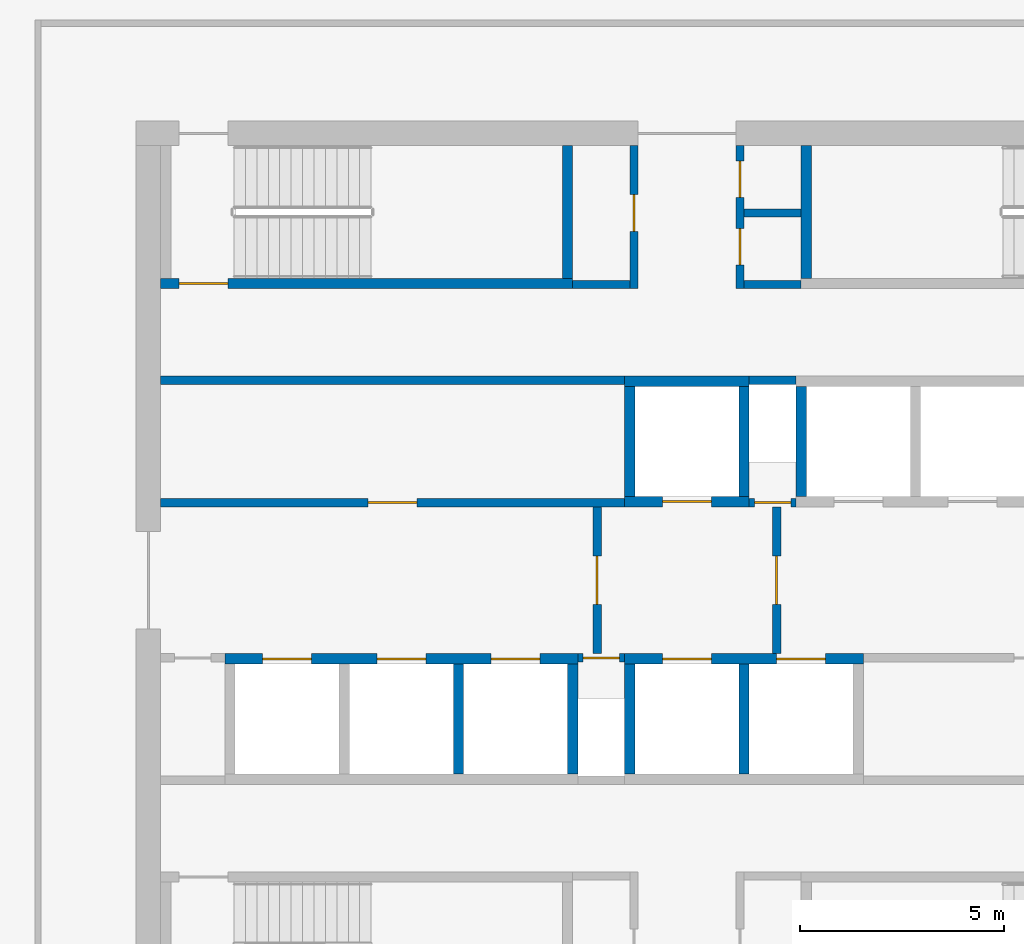
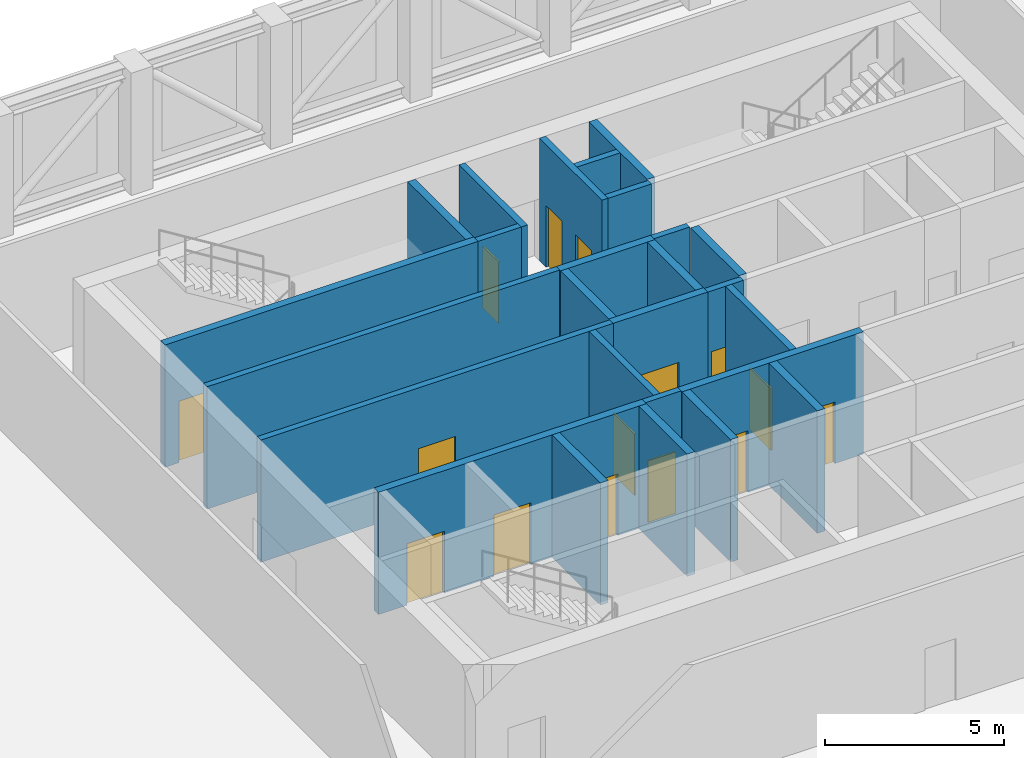
# One storey, part 4 of 14: 26 walls, 15 doors, 15 openings.
"""IFC4 building model written with IfcOpenShell, lengths in metres."""

from ifc_helpers import new_model, si_unit, direction, frame, frame_2d, origin, place, context, subcontext, project, spatial, polyline, rectangle, outline, extrude, material, layer, layer_set, type_object, element, fill, save


model = new_model("IFC4")

# Units and contexts
model_context = context("Model", 3, precision=1e-05, world=origin(), true_north=direction((0.0, 1.0)))
body_context = subcontext(model_context, "Body", "Model", "MODEL_VIEW")
ifc_project = project(units=[si_unit("LENGTHUNIT", "METRE"), si_unit("AREAUNIT", "SQUARE_METRE"), si_unit("VOLUMEUNIT", "CUBIC_METRE"), si_unit("PLANEANGLEUNIT", "RADIAN"), si_unit("MASSUNIT", "GRAM", prefix="KILO")], contexts=[model_context])

# Site, building, storey
site_placement = place(None, origin())
site = spatial("IfcSite", under=ifc_project, at=site_placement, CompositionType="ELEMENT")
building_placement = place(site_placement, origin())
building = spatial("IfcBuilding", under=site, at=building_placement, Name="Dhurran Vertical Campus", CompositionType="ELEMENT")
storey_placement = place(building_placement, frame((0.0, 0.0, 282.0)))
storey = spatial("IfcBuildingStorey", under=building, at=storey_placement, Name="L70 Plant", CompositionType="ELEMENT", Elevation=282.0)

# Wall, opening, door
ifc_material_1 = material(Name="Fire-rated masonry blockwork", Category="masonry")
ifc_layer_1 = layer(ifc_material_1, 0.199951171875)
ifc_layer_set_1 = layer_set([ifc_layer_1], Name="Fire-rated masonry blockwork")
wall_type_1 = type_object("IfcWallType", Name="co-FIRE-PARTITION-200", PredefinedType="PARTITIONING", material=ifc_layer_set_1)
wall_1_placement = place(storey_placement, frame((-2.199951171875, -1.800048828125, 0.0), z_axis=(0.0, 0.0, 1.0), x_axis=(0.0, 1.0, 0.0)))
wall_1 = element("IfcWall", 1, at=wall_1_placement, inside=storey, type_object=wall_type_1, Name="Firefighting lobby wall W L70", PredefinedType="PARTITIONING", context=body_context, shape_type="SweptSolid", body=[
    extrude(rectangle(XDim=3.60009765625, YDim=0.199951171875, at=frame_2d((1.800048828125, 0.0))), origin(), (0.0, 0.0, 1.0), 4.175048828125),
])
opening_1_placement = place(wall_1_placement, frame((1.199951171875, 0.0, 0.0)))
opening_1 = element("IfcOpeningElement", 2, at=opening_1_placement, cuts=wall_1, Name="Opening FL1", PredefinedType="OPENING", context=body_context, shape_type="SweptSolid", body=[
    extrude(rectangle(XDim=1.199951171875, YDim=2.10009765625, at=frame_2d((0.60009765625, 1.050048828125))), frame((0.0, 0.10986328125, 0.0), z_axis=(0.0, -1.0, 0.0), x_axis=(1.0, 0.0, 0.0)), (0.0, 0.0, 1.0), 0.219970703125),
])
ifc_material_2 = material(Name="Fire-rated steel door set", Category="steel")
door_type_1 = type_object("IfcDoorType", Name="co-D-FFLOBBY 1200x2100", OperationType="SINGLE_SWING_LEFT", PredefinedType="DOOR", material=ifc_material_2)
door_1_placement = place(opening_1_placement, origin())
door_1 = element("IfcDoor", 3, at=door_1_placement, inside=storey, type_object=door_type_1, Name="Firefighting lobby door W L70", OperationType="SINGLE_SWING_LEFT", OverallHeight=2.10009765625, OverallWidth=1.199951171875, PredefinedType="DOOR", context=body_context, shape_type="SweptSolid", body=[
    extrude(rectangle(XDim=1.199951171875, YDim=2.10009765625, at=frame_2d((0.60009765625, 1.050048828125))), frame((0.0, 0.02490234375, 0.0), z_axis=(0.0, -1.0, 0.0), x_axis=(1.0, 0.0, 0.0)), (0.0, 0.0, 1.0), 0.050048828125),
])
fill(opening_1, door_1)

wall_2_placement = place(storey_placement, frame((2.199951171875, -1.800048828125, 0.0), z_axis=(0.0, 0.0, 1.0), x_axis=(0.0, 1.0, 0.0)))
wall_2 = element("IfcWall", 4, at=wall_2_placement, inside=storey, type_object=wall_type_1, Name="Firefighting lobby wall E L70", PredefinedType="PARTITIONING", context=body_context, shape_type="SweptSolid", body=[
    extrude(rectangle(XDim=3.60009765625, YDim=0.199951171875, at=frame_2d((1.800048828125, 0.0))), origin(), (0.0, 0.0, 1.0), 4.175048828125),
])
opening_2_placement = place(wall_2_placement, frame((1.199951171875, 0.0, 0.0)))
opening_2 = element("IfcOpeningElement", 5, at=opening_2_placement, cuts=wall_2, Name="Opening FL2", PredefinedType="OPENING", context=body_context, shape_type="SweptSolid", body=[
    extrude(rectangle(XDim=1.199951171875, YDim=2.10009765625, at=frame_2d((0.60009765625, 1.050048828125))), frame((0.0, 0.10986328125, 0.0), z_axis=(0.0, -1.0, 0.0), x_axis=(1.0, 0.0, 0.0)), (0.0, 0.0, 1.0), 0.219970703125),
])
door_2_placement = place(opening_2_placement, origin())
door_2 = element("IfcDoor", 6, at=door_2_placement, inside=storey, type_object=door_type_1, Name="Firefighting lobby door E L70", OperationType="SINGLE_SWING_LEFT", OverallHeight=2.10009765625, OverallWidth=1.199951171875, PredefinedType="DOOR", context=body_context, shape_type="SweptSolid", body=[
    extrude(rectangle(XDim=1.199951171875, YDim=2.10009765625, at=frame_2d((0.60009765625, 1.050048828125))), frame((0.0, 0.02490234375, 0.0), z_axis=(0.0, -1.0, 0.0), x_axis=(1.0, 0.0, 0.0)), (0.0, 0.0, 1.0), 0.050048828125),
])
fill(opening_2, door_2)

# Walls
for number, where, z_axis, x_axis, name in (
    (7, (-2.800048828125, 7.25, 0.0), (0.0, 0.0, 1.0), (1.0, 0.0, 0.0), "Core partition sl-NW-S L70"),
    (8, (1.39990234375, 7.25, 0.0), (0.0, 0.0, 1.0), (1.0, 0.0, 0.0), "Core partition sl-NE-S L70"),
    (9, (1.39990234375, 9.0, 0.0), (0.0, 0.0, 1.0), (1.0, 0.0, 0.0), "Core partition sl-NE-cut0 L70"),
):
    element("IfcWall", number, at=place(storey_placement, frame(where, z_axis=z_axis, x_axis=x_axis)), inside=storey, type_object=wall_type_1, Name=name, PredefinedType="PARTITIONING", context=body_context, shape_type="SweptSolid", body=[
        extrude(rectangle(XDim=1.400146484375, YDim=0.199951171875, at=frame_2d((0.7001953125, 0.0))), origin(), (0.0, 0.0, 1.0), 4.175048828125),
    ])

# Wall, opening, door
wall_3_placement = place(storey_placement, frame((-1.300048828125, 7.14990234375, 0.0), z_axis=(0.0, 0.0, 1.0), x_axis=(0.0, 1.0, 0.0)))
wall_3 = element("IfcWall", 10, at=wall_3_placement, inside=storey, type_object=wall_type_1, Name="Core partition vest-NW L70", PredefinedType="PARTITIONING", context=body_context, shape_type="SweptSolid", body=[
    extrude(rectangle(XDim=3.5, YDim=0.199951171875, at=frame_2d((1.75, 0.0))), origin(), (0.0, 0.0, 1.0), 4.175048828125),
])
opening_3_placement = place(wall_3_placement, frame((1.39990234375, 0.0, 0.0)))
opening_3 = element("IfcOpeningElement", 11, at=opening_3_placement, cuts=wall_3, Name="Opening BR70-C3", PredefinedType="OPENING", context=body_context, shape_type="SweptSolid", body=[
    extrude(rectangle(XDim=0.89990234375, YDim=2.10009765625, at=frame_2d((0.449951171875, 1.050048828125))), frame((0.0, 0.10986328125, 0.0), z_axis=(0.0, -1.0, 0.0), x_axis=(1.0, 0.0, 0.0)), (0.0, 0.0, 1.0), 0.219970703125),
])
ifc_material_3 = material(Name="Fire-rated timber door set", Category="wood")
door_type_2 = type_object("IfcDoorType", Name="co-D-ROOM 900x2100", OperationType="SINGLE_SWING_LEFT", PredefinedType="DOOR", material=ifc_material_3)
door_3_placement = place(opening_3_placement, origin())
door_3 = element("IfcDoor", 12, at=door_3_placement, inside=storey, type_object=door_type_2, Name="Sprinkler valve room door L70", OperationType="SINGLE_SWING_LEFT", OverallHeight=2.10009765625, OverallWidth=0.89990234375, PredefinedType="DOOR", context=body_context, shape_type="SweptSolid", body=[
    extrude(rectangle(XDim=0.89990234375, YDim=2.10009765625, at=frame_2d((0.449951171875, 1.050048828125))), frame((0.0, 0.02490234375, 0.0), z_axis=(0.0, -1.0, 0.0), x_axis=(1.0, 0.0, 0.0)), (0.0, 0.0, 1.0), 0.050048828125),
])
fill(opening_3, door_3)

# Wall, openings, doors
wall_4_placement = place(storey_placement, frame((1.300048828125, 7.14990234375, 0.0), z_axis=(0.0, 0.0, 1.0), x_axis=(0.0, 1.0, 0.0)))
wall_4 = element("IfcWall", 13, at=wall_4_placement, inside=storey, type_object=wall_type_1, Name="Core partition vest-NE L70", PredefinedType="PARTITIONING", context=body_context, shape_type="SweptSolid", body=[
    extrude(rectangle(XDim=3.5, YDim=0.199951171875, at=frame_2d((1.75, 0.0))), origin(), (0.0, 0.0, 1.0), 4.175048828125),
])
opening_4_placement = place(wall_4_placement, frame((0.574951171875, 0.0, 0.0)))
opening_4 = element("IfcOpeningElement", 14, at=opening_4_placement, cuts=wall_4, Name="Opening BR70-C4", PredefinedType="OPENING", context=body_context, shape_type="SweptSolid", body=[
    extrude(rectangle(XDim=0.89990234375, YDim=2.10009765625, at=frame_2d((0.449951171875, 1.050048828125))), frame((0.0, 0.10986328125, 0.0), z_axis=(0.0, -1.0, 0.0), x_axis=(1.0, 0.0, 0.0)), (0.0, 0.0, 1.0), 0.219970703125),
])
opening_5_placement = place(wall_4_placement, frame((2.22509765625, 0.0, 0.0)))
opening_5 = element("IfcOpeningElement", 15, at=opening_5_placement, cuts=wall_4, Name="Opening BR70-C5", PredefinedType="OPENING", context=body_context, shape_type="SweptSolid", body=[
    extrude(rectangle(XDim=0.89990234375, YDim=2.10009765625, at=frame_2d((0.449951171875, 1.050048828125))), frame((0.0, 0.10986328125, 0.0), z_axis=(0.0, -1.0, 0.0), x_axis=(1.0, 0.0, 0.0)), (0.0, 0.0, 1.0), 0.219970703125),
])
door_4_placement = place(opening_4_placement, origin())
door_4 = element("IfcDoor", 16, at=door_4_placement, inside=storey, type_object=door_type_2, Name="Pump room door L70", OperationType="SINGLE_SWING_LEFT", OverallHeight=2.10009765625, OverallWidth=0.89990234375, PredefinedType="DOOR", context=body_context, shape_type="SweptSolid", body=[
    extrude(rectangle(XDim=0.89990234375, YDim=2.10009765625, at=frame_2d((0.449951171875, 1.050048828125))), frame((0.0, 0.02490234375, 0.0), z_axis=(0.0, -1.0, 0.0), x_axis=(1.0, 0.0, 0.0)), (0.0, 0.0, 1.0), 0.050048828125),
])
fill(opening_4, door_4)
door_5_placement = place(opening_5_placement, origin())
door_5 = element("IfcDoor", 17, at=door_5_placement, inside=storey, type_object=door_type_2, Name="Air handling plant room door L70", OperationType="SINGLE_SWING_LEFT", OverallHeight=2.10009765625, OverallWidth=0.89990234375, PredefinedType="DOOR", context=body_context, shape_type="SweptSolid", body=[
    extrude(rectangle(XDim=0.89990234375, YDim=2.10009765625, at=frame_2d((0.449951171875, 1.050048828125))), frame((0.0, 0.02490234375, 0.0), z_axis=(0.0, -1.0, 0.0), x_axis=(1.0, 0.0, 0.0)), (0.0, 0.0, 1.0), 0.050048828125),
])
fill(opening_5, door_5)

# Wall, opening, door
wall_5_placement = place(storey_placement, frame((-12.89990234375, 1.89990234375, 0.0), z_axis=(0.0, 0.0, 1.0), x_axis=(1.0, 0.0, 0.0)))
wall_5 = element("IfcWall", 18, at=wall_5_placement, inside=storey, type_object=wall_type_1, Name="Core partition fr-N0-f L70", PredefinedType="PARTITIONING", context=body_context, shape_type="SweptSolid", body=[
    extrude(rectangle(XDim=11.375, YDim=0.199951171875, at=frame_2d((5.6875, 0.0))), origin(), (0.0, 0.0, 1.0), 4.175048828125),
])
opening_6_placement = place(wall_5_placement, frame((5.08740234375, 0.0, 0.0)))
opening_6 = element("IfcOpeningElement", 19, at=opening_6_placement, cuts=wall_5, Name="Opening BR70-C6", PredefinedType="OPENING", context=body_context, shape_type="SweptSolid", body=[
    extrude(rectangle(XDim=1.199951171875, YDim=2.10009765625, at=frame_2d((0.60009765625, 1.050048828125))), frame((0.0, 0.10986328125, 0.0), z_axis=(0.0, -1.0, 0.0), x_axis=(1.0, 0.0, 0.0)), (0.0, 0.0, 1.0), 0.219970703125),
])
ifc_material_4 = material(Name="Fire-rated steel door set", Category="steel")
door_type_3 = type_object("IfcDoorType", Name="co-D-ROOM-PASSAGE 1200x2100", OperationType="SINGLE_SWING_RIGHT", PredefinedType="DOOR", material=ifc_material_4)
door_6_placement = place(opening_6_placement, origin())
door_6 = element("IfcDoor", 20, at=door_6_placement, inside=storey, type_object=door_type_3, Name="Refuge area door L70", OperationType="SINGLE_SWING_RIGHT", OverallHeight=2.10009765625, OverallWidth=1.199951171875, PredefinedType="DOOR", context=body_context, shape_type="SweptSolid", body=[
    extrude(rectangle(XDim=1.199951171875, YDim=2.10009765625, at=frame_2d((0.60009765625, 1.050048828125))), frame((0.0, 0.02490234375, 0.0), z_axis=(0.0, -1.0, 0.0), x_axis=(1.0, 0.0, 0.0)), (0.0, 0.0, 1.0), 0.050048828125),
])
fill(opening_6, door_6)

# Wall
wall_6_placement = place(storey_placement, frame((-12.89990234375, 4.89990234375, 0.0), z_axis=(0.0, 0.0, 1.0), x_axis=(1.0, 0.0, 0.0)))
element("IfcWall", 21, at=wall_6_placement, inside=storey, type_object=wall_type_1, Name="Core partition fr-N0-b L70", PredefinedType="PARTITIONING", context=body_context, shape_type="SweptSolid", body=[
    extrude(rectangle(XDim=11.375, YDim=0.199951171875, at=frame_2d((5.6875, 0.0))), origin(), (0.0, 0.0, 1.0), 4.175048828125),
])

# Wall, opening, door
wall_7_placement = place(storey_placement, frame((1.52490234375, 1.89990234375, 0.0), z_axis=(0.0, 0.0, 1.0), x_axis=(1.0, 0.0, 0.0)))
wall_7 = element("IfcWall", 22, at=wall_7_placement, inside=storey, type_object=wall_type_1, Name="Core partition fr-N1-f L70", PredefinedType="PARTITIONING", context=body_context, shape_type="SweptSolid", body=[
    extrude(rectangle(XDim=1.150146484375, YDim=0.199951171875, at=frame_2d((0.5751953125, 0.0))), origin(), (0.0, 0.0, 1.0), 4.175048828125),
])
opening_7_placement = place(wall_7_placement, frame((0.125, 0.0, 0.0)))
opening_7 = element("IfcOpeningElement", 23, at=opening_7_placement, cuts=wall_7, Name="Opening BR70-C7", PredefinedType="OPENING", context=body_context, shape_type="SweptSolid", body=[
    extrude(rectangle(XDim=0.89990234375, YDim=2.10009765625, at=frame_2d((0.449951171875, 1.050048828125))), frame((0.0, 0.10986328125, 0.0), z_axis=(0.0, -1.0, 0.0), x_axis=(1.0, 0.0, 0.0)), (0.0, 0.0, 1.0), 0.219970703125),
])
door_7_placement = place(opening_7_placement, origin())
door_7 = element("IfcDoor", 24, at=door_7_placement, inside=storey, type_object=door_type_2, Name="Water riser door L70", OperationType="SINGLE_SWING_LEFT", OverallHeight=2.10009765625, OverallWidth=0.89990234375, PredefinedType="DOOR", context=body_context, shape_type="SweptSolid", body=[
    extrude(rectangle(XDim=0.89990234375, YDim=2.10009765625, at=frame_2d((0.449951171875, 1.050048828125))), frame((0.0, 0.02490234375, 0.0), z_axis=(0.0, -1.0, 0.0), x_axis=(1.0, 0.0, 0.0)), (0.0, 0.0, 1.0), 0.050048828125),
])
fill(opening_7, door_7)

# Wall
wall_8_placement = place(storey_placement, frame((1.52490234375, 4.89990234375, 0.0), z_axis=(0.0, 0.0, 1.0), x_axis=(1.0, 0.0, 0.0)))
element("IfcWall", 25, at=wall_8_placement, inside=storey, type_object=wall_type_1, Name="Core partition fr-N1-b L70", PredefinedType="PARTITIONING", context=body_context, shape_type="SweptSolid", body=[
    extrude(rectangle(XDim=1.150146484375, YDim=0.199951171875, at=frame_2d((0.5751953125, 0.0))), origin(), (0.0, 0.0, 1.0), 4.175048828125),
])

# Wall, opening, door
wall_9_placement = place(storey_placement, frame((-2.675048828125, -1.89990234375, 0.0), z_axis=(0.0, 0.0, 1.0), x_axis=(1.0, 0.0, 0.0)))
wall_9 = element("IfcWall", 26, at=wall_9_placement, inside=storey, type_object=wall_type_1, Name="Core partition fr-S1-f L70", PredefinedType="PARTITIONING", context=body_context, shape_type="SweptSolid", body=[
    extrude(rectangle(XDim=1.150146484375, YDim=0.199951171875, at=frame_2d((0.5751953125, 0.0))), origin(), (0.0, 0.0, 1.0), 4.175048828125),
])
opening_8_placement = place(wall_9_placement, frame((0.125, 0.0, 0.0)))
opening_8 = element("IfcOpeningElement", 27, at=opening_8_placement, cuts=wall_9, Name="Opening BR70-C10", PredefinedType="OPENING", context=body_context, shape_type="SweptSolid", body=[
    extrude(rectangle(XDim=0.89990234375, YDim=2.10009765625, at=frame_2d((0.449951171875, 1.050048828125))), frame((0.0, 0.10986328125, 0.0), z_axis=(0.0, -1.0, 0.0), x_axis=(1.0, 0.0, 0.0)), (0.0, 0.0, 1.0), 0.219970703125),
])
door_8_placement = place(opening_8_placement, origin())
door_8 = element("IfcDoor", 28, at=door_8_placement, inside=storey, type_object=door_type_2, Name="Communications riser door L70", OperationType="SINGLE_SWING_LEFT", OverallHeight=2.10009765625, OverallWidth=0.89990234375, PredefinedType="DOOR", context=body_context, shape_type="SweptSolid", body=[
    extrude(rectangle(XDim=0.89990234375, YDim=2.10009765625, at=frame_2d((0.449951171875, 1.050048828125))), frame((0.0, 0.02490234375, 0.0), z_axis=(0.0, -1.0, 0.0), x_axis=(1.0, 0.0, 0.0)), (0.0, 0.0, 1.0), 0.050048828125),
])
fill(opening_8, door_8)

ifc_material_5 = material(Name="Concrete C50/60", Category="concrete")
ifc_layer_2 = layer(ifc_material_5, 0.25)
ifc_layer_set_2 = layer_set([ifc_layer_2], Name="Concrete C50/60")
wall_type_2 = type_object("IfcWallType", Name="co-SHAFT-FRONT-250", PredefinedType="SHEAR", material=ifc_layer_set_2)
wall_10_placement = place(storey_placement, frame((-1.52490234375, 1.925048828125, 0.0), z_axis=(0.0, 0.0, 1.0), x_axis=(1.0, 0.0, 0.0)))
wall_10 = element("IfcWall", 29, at=wall_10_placement, inside=storey, type_object=wall_type_2, Name="Lift landing wall N L70", PredefinedType="SHEAR", context=body_context, shape_type="SweptSolid", body=[
    extrude(rectangle(XDim=3.0498046875, YDim=0.25, at=frame_2d((1.52490234375, 0.0))), origin(), (0.0, 0.0, 1.0), 4.175048828125),
])
opening_9_placement = place(wall_10_placement, frame((0.925048828125, 0.0, 0.0)))
opening_9 = element("IfcOpeningElement", 30, at=opening_9_placement, cuts=wall_10, Name="Opening LD", PredefinedType="OPENING", context=body_context, shape_type="SweptSolid", body=[
    extrude(rectangle(XDim=1.199951171875, YDim=2.10009765625, at=frame_2d((0.60009765625, 1.050048828125))), frame((0.0, 0.135009765625, 0.0), z_axis=(0.0, -1.0, 0.0), x_axis=(1.0, 0.0, 0.0)), (0.0, 0.0, 1.0), 0.27001953125),
])
ifc_material_6 = material(Name="Stainless steel landing door", Category="steel")
door_type_4 = type_object("IfcDoorType", Name="co-D-LANDING 1200x2100", OperationType="DOUBLE_DOOR_SLIDING", PredefinedType="DOOR", material=ifc_material_6)
door_9_placement = place(opening_9_placement, origin())
door_9 = element("IfcDoor", 31, at=door_9_placement, inside=storey, type_object=door_type_4, Name="Landing door FF1 L70", OperationType="DOUBLE_DOOR_SLIDING", OverallHeight=2.10009765625, OverallWidth=1.199951171875, PredefinedType="DOOR", context=body_context, shape_type="SweptSolid", body=[
    extrude(rectangle(XDim=1.199951171875, YDim=2.10009765625, at=frame_2d((0.60009765625, 1.050048828125))), frame((0.0, 0.02490234375, 0.0), z_axis=(0.0, -1.0, 0.0), x_axis=(1.0, 0.0, 0.0)), (0.0, 0.0, 1.0), 0.050048828125),
])
fill(opening_9, door_9)

# Wall, openings, doors
wall_11_placement = place(storey_placement, frame((-11.324951171875, -1.925048828125, 0.0), z_axis=(0.0, 0.0, 1.0), x_axis=(1.0, 0.0, 0.0)))
wall_11 = element("IfcWall", 32, at=wall_11_placement, inside=storey, type_object=wall_type_2, Name="Lift landing wall S L70", PredefinedType="SHEAR", context=body_context, shape_type="SweptSolid", body=[
    extrude(rectangle(XDim=8.64990234375, YDim=0.25, at=frame_2d((4.324951171875, 0.0))), origin(), (0.0, 0.0, 1.0), 4.175048828125),
])
opening_10_placement = place(wall_11_placement, frame((0.925048828125, 0.0, 0.0)))
opening_10 = element("IfcOpeningElement", 33, at=opening_10_placement, cuts=wall_11, Name="Opening LD", PredefinedType="OPENING", context=body_context, shape_type="SweptSolid", body=[
    extrude(rectangle(XDim=1.199951171875, YDim=2.10009765625, at=frame_2d((0.60009765625, 1.050048828125))), frame((0.0, 0.135009765625, 0.0), z_axis=(0.0, -1.0, 0.0), x_axis=(1.0, 0.0, 0.0)), (0.0, 0.0, 1.0), 0.27001953125),
])
opening_11_placement = place(wall_11_placement, frame((3.72509765625, 0.0, 0.0)))
opening_11 = element("IfcOpeningElement", 34, at=opening_11_placement, cuts=wall_11, Name="Opening LD", PredefinedType="OPENING", context=body_context, shape_type="SweptSolid", body=[
    extrude(rectangle(XDim=1.199951171875, YDim=2.10009765625, at=frame_2d((0.60009765625, 1.050048828125))), frame((0.0, 0.135009765625, 0.0), z_axis=(0.0, -1.0, 0.0), x_axis=(1.0, 0.0, 0.0)), (0.0, 0.0, 1.0), 0.27001953125),
])
opening_12_placement = place(wall_11_placement, frame((6.52490234375, 0.0, 0.0)))
opening_12 = element("IfcOpeningElement", 35, at=opening_12_placement, cuts=wall_11, Name="Opening LD", PredefinedType="OPENING", context=body_context, shape_type="SweptSolid", body=[
    extrude(rectangle(XDim=1.199951171875, YDim=2.10009765625, at=frame_2d((0.60009765625, 1.050048828125))), frame((0.0, 0.135009765625, 0.0), z_axis=(0.0, -1.0, 0.0), x_axis=(1.0, 0.0, 0.0)), (0.0, 0.0, 1.0), 0.27001953125),
])
door_10_placement = place(opening_10_placement, origin())
door_10 = element("IfcDoor", 36, at=door_10_placement, inside=storey, type_object=door_type_4, Name="Landing door HR3 L70", OperationType="DOUBLE_DOOR_SLIDING", OverallHeight=2.10009765625, OverallWidth=1.199951171875, PredefinedType="DOOR", context=body_context, shape_type="SweptSolid", body=[
    extrude(rectangle(XDim=1.199951171875, YDim=2.10009765625, at=frame_2d((0.60009765625, 1.050048828125))), frame((0.0, 0.02490234375, 0.0), z_axis=(0.0, -1.0, 0.0), x_axis=(1.0, 0.0, 0.0)), (0.0, 0.0, 1.0), 0.050048828125),
])
fill(opening_10, door_10)
door_11_placement = place(opening_11_placement, origin())
door_11 = element("IfcDoor", 37, at=door_11_placement, inside=storey, type_object=door_type_4, Name="Landing door HR4 L70", OperationType="DOUBLE_DOOR_SLIDING", OverallHeight=2.10009765625, OverallWidth=1.199951171875, PredefinedType="DOOR", context=body_context, shape_type="SweptSolid", body=[
    extrude(rectangle(XDim=1.199951171875, YDim=2.10009765625, at=frame_2d((0.60009765625, 1.050048828125))), frame((0.0, 0.02490234375, 0.0), z_axis=(0.0, -1.0, 0.0), x_axis=(1.0, 0.0, 0.0)), (0.0, 0.0, 1.0), 0.050048828125),
])
fill(opening_11, door_11)
door_12_placement = place(opening_12_placement, origin())
door_12 = element("IfcDoor", 38, at=door_12_placement, inside=storey, type_object=door_type_4, Name="Landing door HR5 L70", OperationType="DOUBLE_DOOR_SLIDING", OverallHeight=2.10009765625, OverallWidth=1.199951171875, PredefinedType="DOOR", context=body_context, shape_type="SweptSolid", body=[
    extrude(rectangle(XDim=1.199951171875, YDim=2.10009765625, at=frame_2d((0.60009765625, 1.050048828125))), frame((0.0, 0.02490234375, 0.0), z_axis=(0.0, -1.0, 0.0), x_axis=(1.0, 0.0, 0.0)), (0.0, 0.0, 1.0), 0.050048828125),
])
fill(opening_12, door_12)

wall_12_placement = place(storey_placement, frame((-1.52490234375, -1.925048828125, 0.0), z_axis=(0.0, 0.0, 1.0), x_axis=(1.0, 0.0, 0.0)))
wall_12 = element("IfcWall", 39, at=wall_12_placement, inside=storey, type_object=wall_type_2, Name="Lift landing wall S L70", PredefinedType="SHEAR", context=body_context, shape_type="SweptSolid", body=[
    extrude(rectangle(XDim=5.849853515625, YDim=0.25, at=frame_2d((2.9248046875, 0.0))), origin(), (0.0, 0.0, 1.0), 4.175048828125),
])
opening_13_placement = place(wall_12_placement, frame((0.925048828125, 0.0, 0.0)))
opening_13 = element("IfcOpeningElement", 40, at=opening_13_placement, cuts=wall_12, Name="Opening LD", PredefinedType="OPENING", context=body_context, shape_type="SweptSolid", body=[
    extrude(rectangle(XDim=1.199951171875, YDim=2.10009765625, at=frame_2d((0.60009765625, 1.050048828125))), frame((0.0, 0.135009765625, 0.0), z_axis=(0.0, -1.0, 0.0), x_axis=(1.0, 0.0, 0.0)), (0.0, 0.0, 1.0), 0.27001953125),
])
opening_14_placement = place(wall_12_placement, frame((3.72509765625, 0.0, 0.0)))
opening_14 = element("IfcOpeningElement", 41, at=opening_14_placement, cuts=wall_12, Name="Opening LD", PredefinedType="OPENING", context=body_context, shape_type="SweptSolid", body=[
    extrude(rectangle(XDim=1.199951171875, YDim=2.10009765625, at=frame_2d((0.60009765625, 1.050048828125))), frame((0.0, 0.135009765625, 0.0), z_axis=(0.0, -1.0, 0.0), x_axis=(1.0, 0.0, 0.0)), (0.0, 0.0, 1.0), 0.27001953125),
])
door_13_placement = place(opening_13_placement, origin())
door_13 = element("IfcDoor", 42, at=door_13_placement, inside=storey, type_object=door_type_4, Name="Landing door FF2 L70", OperationType="DOUBLE_DOOR_SLIDING", OverallHeight=2.10009765625, OverallWidth=1.199951171875, PredefinedType="DOOR", context=body_context, shape_type="SweptSolid", body=[
    extrude(rectangle(XDim=1.199951171875, YDim=2.10009765625, at=frame_2d((0.60009765625, 1.050048828125))), frame((0.0, 0.02490234375, 0.0), z_axis=(0.0, -1.0, 0.0), x_axis=(1.0, 0.0, 0.0)), (0.0, 0.0, 1.0), 0.050048828125),
])
fill(opening_13, door_13)
door_14_placement = place(opening_14_placement, origin())
door_14 = element("IfcDoor", 43, at=door_14_placement, inside=storey, type_object=door_type_4, Name="Landing door SV1 L70", OperationType="DOUBLE_DOOR_SLIDING", OverallHeight=2.10009765625, OverallWidth=1.199951171875, PredefinedType="DOOR", context=body_context, shape_type="SweptSolid", body=[
    extrude(rectangle(XDim=1.199951171875, YDim=2.10009765625, at=frame_2d((0.60009765625, 1.050048828125))), frame((0.0, 0.02490234375, 0.0), z_axis=(0.0, -1.0, 0.0), x_axis=(1.0, 0.0, 0.0)), (0.0, 0.0, 1.0), 0.050048828125),
])
fill(opening_14, door_14)

# Walls
ifc_material_7 = material(Name="Concrete C50/60", Category="concrete")
ifc_layer_3 = layer(ifc_material_7, 0.25)
ifc_layer_set_3 = layer_set([ifc_layer_3], Name="Concrete C50/60")
wall_type_3 = type_object("IfcWallType", Name="co-SHAFT-MASS-250", PredefinedType="SHEAR", material=ifc_layer_set_3)
wall_13_placement = place(storey_placement, origin())
element("IfcWall", 44, at=wall_13_placement, inside=storey, type_object=wall_type_3, Name="Lift shaft wall N L70 1", PredefinedType="SHEAR", context=body_context, shape_type="SweptSolid", body=[
    extrude(outline(polyline([(-1.52490234375, 4.75), (1.52490234375, 4.75), (1.52490234375, 5.0), (-1.52490234375, 5.0), (-1.52490234375, 4.75)])), origin(), (0.0, 0.0, 1.0), 4.175048828125),
])
wall_14_placement = place(storey_placement, origin())
element("IfcWall", 45, at=wall_14_placement, inside=storey, type_object=wall_type_3, Name="Lift shaft wall N L70 4", PredefinedType="SHEAR", context=body_context, shape_type="SweptSolid", body=[
    extrude(outline(polyline([(-1.52490234375, 2.050048828125), (-1.27490234375, 2.050048828125), (-1.27490234375, 4.75), (-1.52490234375, 4.75), (-1.52490234375, 2.050048828125)])), origin(), (0.0, 0.0, 1.0), 4.175048828125),
])
wall_15_placement = place(storey_placement, origin())
element("IfcWall", 46, at=wall_15_placement, inside=storey, type_object=wall_type_3, Name="Lift shaft wall N L70 5", PredefinedType="SHEAR", context=body_context, shape_type="SweptSolid", body=[
    extrude(outline(polyline([(1.27490234375, 2.050048828125), (1.52490234375, 2.050048828125), (1.52490234375, 4.75), (1.27490234375, 4.75), (1.27490234375, 2.050048828125)])), origin(), (0.0, 0.0, 1.0), 4.175048828125),
])
wall_16_placement = place(storey_placement, origin())
element("IfcWall", 47, at=wall_16_placement, inside=storey, type_object=wall_type_3, Name="Lift shaft wall N L70 6", PredefinedType="SHEAR", context=body_context, shape_type="SweptSolid", body=[
    extrude(outline(polyline([(2.675048828125, 2.050048828125), (2.925048828125, 2.050048828125), (2.925048828125, 4.75), (2.675048828125, 4.75), (2.675048828125, 2.050048828125)])), origin(), (0.0, 0.0, 1.0), 4.175048828125),
])
wall_17_placement = place(storey_placement, origin())
element("IfcWall", 48, at=wall_17_placement, inside=storey, type_object=wall_type_3, Name="Lift shaft wall S L70 5", PredefinedType="SHEAR", context=body_context, shape_type="SweptSolid", body=[
    extrude(outline(polyline([(-5.72509765625, -4.75), (-5.47509765625, -4.75), (-5.47509765625, -2.050048828125), (-5.72509765625, -2.050048828125), (-5.72509765625, -4.75)])), origin(), (0.0, 0.0, 1.0), 4.175048828125),
])
wall_18_placement = place(storey_placement, origin())
element("IfcWall", 49, at=wall_18_placement, inside=storey, type_object=wall_type_3, Name="Lift shaft wall S L70 6", PredefinedType="SHEAR", context=body_context, shape_type="SweptSolid", body=[
    extrude(outline(polyline([(-2.925048828125, -4.75), (-2.675048828125, -4.75), (-2.675048828125, -2.050048828125), (-2.925048828125, -2.050048828125), (-2.925048828125, -4.75)])), origin(), (0.0, 0.0, 1.0), 4.175048828125),
])
wall_19_placement = place(storey_placement, origin())
element("IfcWall", 50, at=wall_19_placement, inside=storey, type_object=wall_type_3, Name="Lift shaft wall S L70 7", PredefinedType="SHEAR", context=body_context, shape_type="SweptSolid", body=[
    extrude(outline(polyline([(-1.52490234375, -4.75), (-1.27490234375, -4.75), (-1.27490234375, -2.050048828125), (-1.52490234375, -2.050048828125), (-1.52490234375, -4.75)])), origin(), (0.0, 0.0, 1.0), 4.175048828125),
])
wall_20_placement = place(storey_placement, origin())
element("IfcWall", 51, at=wall_20_placement, inside=storey, type_object=wall_type_3, Name="Lift shaft wall S L70 8", PredefinedType="SHEAR", context=body_context, shape_type="SweptSolid", body=[
    extrude(outline(polyline([(1.27490234375, -4.75), (1.52490234375, -4.75), (1.52490234375, -2.050048828125), (1.27490234375, -2.050048828125), (1.27490234375, -4.75)])), origin(), (0.0, 0.0, 1.0), 4.175048828125),
])

# Wall, opening, door
ifc_material_8 = material(Name="Concrete C40/50", Category="concrete")
ifc_layer_4 = layer(ifc_material_8, 0.25)
ifc_layer_set_4 = layer_set([ifc_layer_4], Name="Concrete C40/50")
wall_type_4 = type_object("IfcWallType", Name="co-STAIR-WALL-250", PredefinedType="SHEAR", material=ifc_layer_set_4)
wall_21_placement = place(storey_placement, frame((-12.89990234375, 7.27490234375, 0.0), z_axis=(0.0, 0.0, 1.0), x_axis=(1.0, 0.0, 0.0)))
wall_21 = element("IfcWall", 52, at=wall_21_placement, inside=storey, type_object=wall_type_4, Name="Stair ST1 enclosure wall L70", PredefinedType="SHEAR", context=body_context, shape_type="SweptSolid", body=[
    extrude(rectangle(XDim=10.099853515625, YDim=0.25, at=frame_2d((5.0498046875, 0.0))), origin(), (0.0, 0.0, 1.0), 4.175048828125),
])
opening_15_placement = place(wall_21_placement, frame((0.449951171875, 0.0, 0.0)))
opening_15 = element("IfcOpeningElement", 53, at=opening_15_placement, cuts=wall_21, Name="Opening SD1", PredefinedType="OPENING", context=body_context, shape_type="SweptSolid", body=[
    extrude(rectangle(XDim=1.199951171875, YDim=2.10009765625, at=frame_2d((0.60009765625, 1.050048828125))), frame((0.0, 0.135009765625, 0.0), z_axis=(0.0, -1.0, 0.0), x_axis=(1.0, 0.0, 0.0)), (0.0, 0.0, 1.0), 0.27001953125),
])
ifc_material_9 = material(Name="Fire-rated steel door set", Category="steel")
door_type_5 = type_object("IfcDoorType", Name="co-D-STAIR 1200x2100", OperationType="SINGLE_SWING_LEFT", PredefinedType="DOOR", material=ifc_material_9)
door_15_placement = place(opening_15_placement, origin())
door_15 = element("IfcDoor", 54, at=door_15_placement, inside=storey, type_object=door_type_5, Name="Stair ST1 door L70", OperationType="SINGLE_SWING_LEFT", OverallHeight=2.10009765625, OverallWidth=1.199951171875, PredefinedType="DOOR", context=body_context, shape_type="SweptSolid", body=[
    extrude(rectangle(XDim=1.199951171875, YDim=2.10009765625, at=frame_2d((0.60009765625, 1.050048828125))), frame((0.0, 0.02490234375, 0.0), z_axis=(0.0, -1.0, 0.0), x_axis=(1.0, 0.0, 0.0)), (0.0, 0.0, 1.0), 0.050048828125),
])
fill(opening_15, door_15)

# Walls
for number, where, z_axis, x_axis, name in (
    (55, (-2.925048828125, 7.39990234375, 0.0), (0.0, 0.0, 1.0), (0.0, 1.0, 0.0), "Stair ST1 enclosure wall L70"),
    (56, (2.925048828125, 7.39990234375, 0.0), (0.0, 0.0, 1.0), (0.0, 1.0, 0.0), "Stair ST2 enclosure wall L70"),
):
    element("IfcWall", number, at=place(storey_placement, frame(where, z_axis=z_axis, x_axis=x_axis)), inside=storey, type_object=wall_type_4, Name=name, PredefinedType="SHEAR", context=body_context, shape_type="SweptSolid", body=[
        extrude(rectangle(XDim=3.25, YDim=0.25, at=frame_2d((1.625, 0.0))), origin(), (0.0, 0.0, 1.0), 4.175048828125),
    ])

save(model, "model.ifc")
